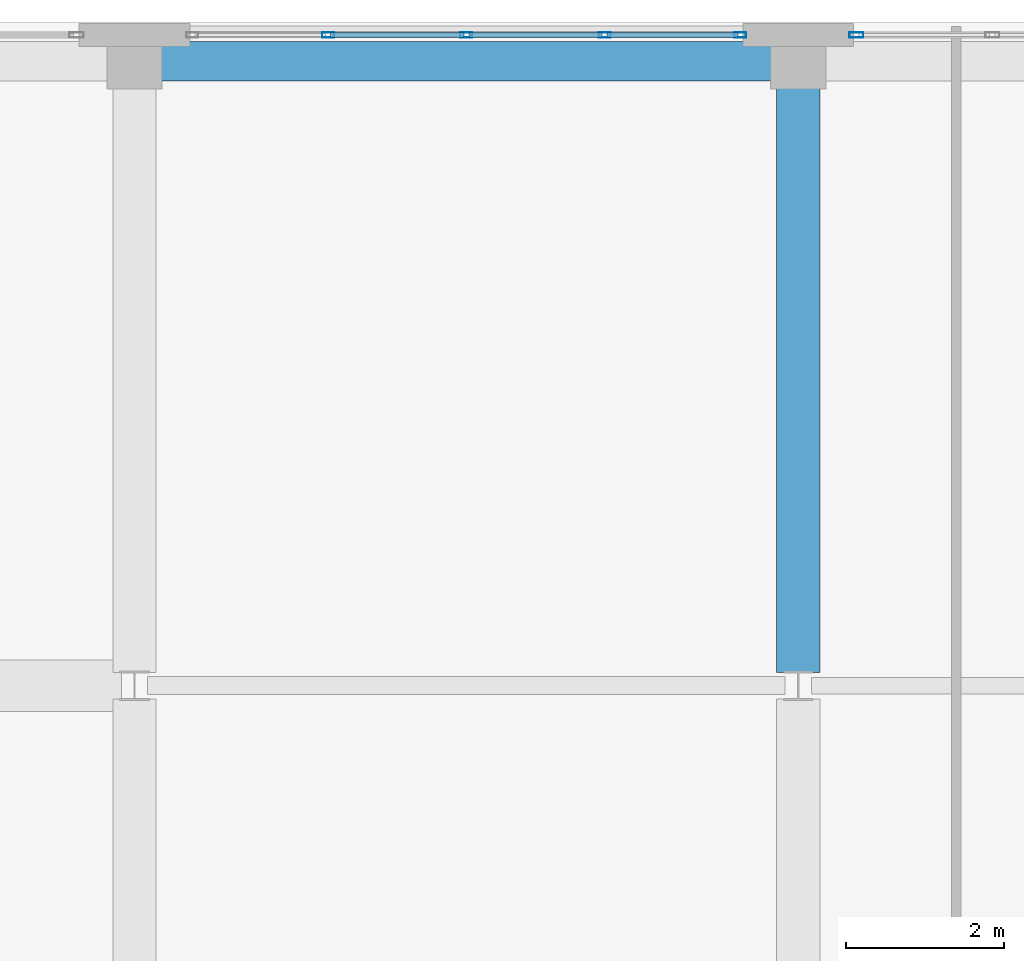
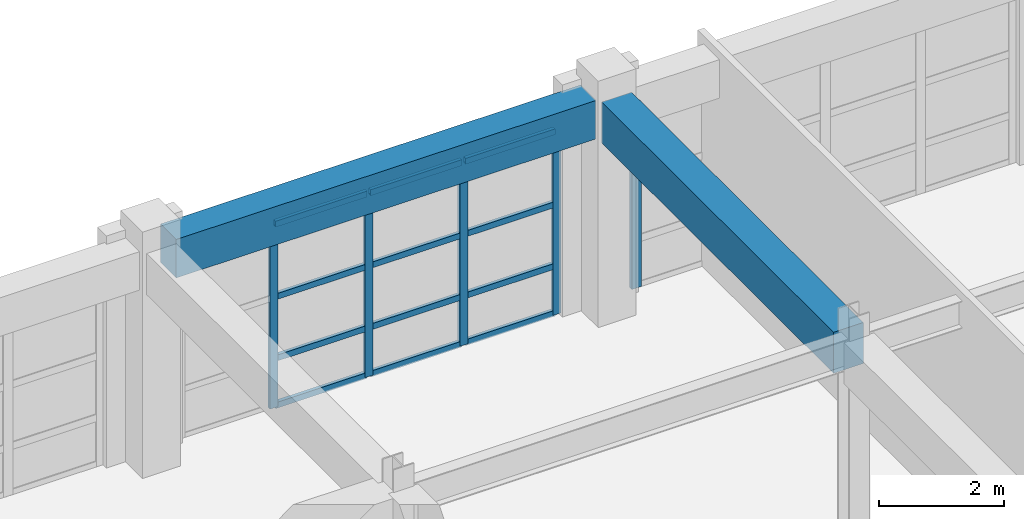
# One storey, part 83 of 123: 17 members, 2 beams, 2 elements without a shape of their own.
"""IFC4 building model written with IfcOpenShell, lengths in metres."""

from ifc_helpers import new_model, si_unit, direction, frame, origin, origin_2d, place, context, subcontext, project, spatial, rectangle, hollow_rectangle, extrude, material, layer, layer_set, material_profile, profile_set, type_object, element, aggregate, save


model = new_model("IFC4")

# Units and contexts
model_context = context("Model", 3, precision=1e-05, world=origin(), true_north=direction((0.0, 1.0)))
body_context = subcontext(model_context, "Body", "Model", "MODEL_VIEW")
ifc_project = project(units=[si_unit("LENGTHUNIT", "METRE"), si_unit("AREAUNIT", "SQUARE_METRE"), si_unit("VOLUMEUNIT", "CUBIC_METRE"), si_unit("PLANEANGLEUNIT", "RADIAN"), si_unit("MASSUNIT", "GRAM", prefix="KILO")], contexts=[model_context])

# Site, building, storey
site_placement = place(None, origin())
site = spatial("IfcSite", under=ifc_project, at=site_placement, CompositionType="ELEMENT")
building_placement = place(site_placement, origin())
building = spatial("IfcBuilding", under=site, at=building_placement, Name="Quendrovan Civic Courthouse", CompositionType="ELEMENT")
storey_placement = place(building_placement, frame((0.0, 0.0, 5.39990234375)))
storey = spatial("IfcBuildingStorey", under=building, at=storey_placement, Name="L02", CompositionType="ELEMENT", Elevation=5.39990234375)

# Beams
ifc_material_1 = material(Name="Concrete C40/50", Category="concrete")
ifc_material_profile_1 = material_profile(ifc_material_1, rectangle(XDim=0.5, YDim=0.75, at=origin_2d()), Name="RC-BM-500x750")
ifc_profile_set_1 = profile_set([ifc_material_profile_1], Name="Concrete C40/50")
beam_type_1 = type_object("IfcBeamType", Name="BM-RC750", PredefinedType="SPANDREL", material=ifc_profile_set_1)
beam_1_placement = place(storey_placement, frame((134.72998046875, 109.89990234375, 3.985107421875), z_axis=(1.0, 0.0, 0.0), x_axis=(0.0, 1.0, 0.0)))
element("IfcBeam", 1, at=beam_1_placement, inside=storey, type_object=beam_type_1, Name="L02 Girder X0602", PredefinedType="SPANDREL", context=body_context, shape_type="SweptSolid", body=[
    extrude(rectangle(XDim=0.5, YDim=0.75, at=origin_2d()), origin(), (0.0, 0.0, 1.0), 7.739990234375),
])
ifc_material_profile_2 = material_profile(ifc_material_1, rectangle(XDim=0.550048828125, YDim=0.800048828125, at=origin_2d()), Name="RC-BM-550x800")
ifc_profile_set_2 = profile_set([ifc_material_profile_2], Name="Concrete C40/50")
beam_type_2 = type_object("IfcBeamType", Name="BM-RC800", PredefinedType="BEAM", material=ifc_profile_set_2)
beam_2_placement = place(storey_placement, frame((142.800048828125, 102.166015625, 3.960205078125), z_axis=(0.0, 1.0, 0.0), x_axis=(-1.0, 0.0, 0.0)))
element("IfcBeam", 2, at=beam_2_placement, inside=storey, type_object=beam_type_2, Name="L02 Girder Y0704", PredefinedType="BEAM", context=body_context, shape_type="SweptSolid", body=[
    extrude(rectangle(XDim=0.550048828125, YDim=0.800048828125, at=origin_2d()), origin(), (0.0, 0.0, 1.0), 7.404052734375),
])

# Curtain wall, member
ifc_material_2 = material(Name="Bronze anodised aluminium and low-E glass", Category="aluminium")
ifc_layer = layer(ifc_material_2, 0.179931640625, Name="Bronze anodised aluminium and low-E glass")
ifc_layer_set = layer_set([ifc_layer], Name="Bronze anodised aluminium and low-E glass")
curtain_wall_type = type_object("IfcCurtainWallType", Name="CW-U70x36", PredefinedType="USERDEFINED", material=ifc_layer_set)
curtain_wall_1_placement = place(storey_placement, origin())
curtain_wall_1 = element("IfcCurtainWall", 3, at=curtain_wall_1_placement, inside=storey, type_object=curtain_wall_type, Name="L02 Unitised Hurricane Curtain Wall CW-094", ObjectType="UNITISED CURTAIN WALL", PredefinedType="USERDEFINED")
ifc_material_3 = material(Name="Bronze anodised aluminium", Category="aluminium")
ifc_material_profile_3 = material_profile(ifc_material_3, hollow_rectangle(XDim=0.070068359375, YDim=0.179931640625, WallThickness=0.00390625, at=origin_2d()), Name="CW-MULL-70x180")
ifc_profile_set_3 = profile_set([ifc_material_profile_3], Name="Bronze anodised aluminium")
member_type_1 = type_object("IfcMemberType", Name="CW-MULL-A", PredefinedType="MULLION", material=ifc_profile_set_3)
member_1_placement = place(storey_placement, frame((143.534912109375, 110.235107421875, 0.0), z_axis=(0.0, 0.0, 1.0), x_axis=(0.0, 1.0, 0.0)))
member_1 = element("IfcMember", 4, at=member_1_placement, type_object=member_type_1, Name="CW-094 mullion 1", PredefinedType="MULLION", context=body_context, shape_type="SweptSolid", body=[
    extrude(hollow_rectangle(XDim=0.070068359375, YDim=0.179931640625, WallThickness=0.00390625, at=origin_2d()), origin(), (0.0, 0.0, 1.0), 3.60009765625),
])
aggregate(curtain_wall_1, [member_1])

# Curtain wall, members
curtain_wall_2_placement = place(storey_placement, origin())
curtain_wall_2 = element("IfcCurtainWall", 5, at=curtain_wall_2_placement, inside=storey, type_object=curtain_wall_type, Name="L02 Unitised Hurricane Curtain Wall CW-093", ObjectType="UNITISED CURTAIN WALL", PredefinedType="USERDEFINED")
ifc_material_profile_4 = material_profile(ifc_material_3, hollow_rectangle(XDim=0.06494140625, YDim=0.14990234375, WallThickness=0.00390625, at=origin_2d()), Name="CW-MULL-65x150")
ifc_profile_set_4 = profile_set([ifc_material_profile_4], Name="Bronze anodised aluminium")
member_type_2 = type_object("IfcMemberType", Name="CW-MULL-B", PredefinedType="MULLION", material=ifc_profile_set_4)
member_2_placement = place(storey_placement, frame((136.85009765625, 110.235107421875, 0.0), z_axis=(0.0, 0.0, 1.0), x_axis=(0.0, 1.0, 0.0)))
member_2 = element("IfcMember", 6, at=member_2_placement, type_object=member_type_2, Name="CW-093 mullion 2", PredefinedType="MULLION", context=body_context, shape_type="SweptSolid", body=[
    extrude(hollow_rectangle(XDim=0.06494140625, YDim=0.14990234375, WallThickness=0.00390625, at=origin_2d()), origin(), (0.0, 0.0, 1.0), 3.60009765625),
])
member_3_placement = place(storey_placement, frame((138.60009765625, 110.235107421875, 0.0), z_axis=(0.0, 0.0, 1.0), x_axis=(0.0, 1.0, 0.0)))
member_3 = element("IfcMember", 7, at=member_3_placement, type_object=member_type_2, Name="CW-093 mullion 3", PredefinedType="MULLION", context=body_context, shape_type="SweptSolid", body=[
    extrude(hollow_rectangle(XDim=0.06494140625, YDim=0.14990234375, WallThickness=0.00390625, at=origin_2d()), origin(), (0.0, 0.0, 1.0), 3.60009765625),
])
member_4_placement = place(storey_placement, frame((140.35009765625, 110.235107421875, 0.0), z_axis=(0.0, 0.0, 1.0), x_axis=(0.0, 1.0, 0.0)))
member_4 = element("IfcMember", 8, at=member_4_placement, type_object=member_type_2, Name="CW-093 mullion 4", PredefinedType="MULLION", context=body_context, shape_type="SweptSolid", body=[
    extrude(hollow_rectangle(XDim=0.06494140625, YDim=0.14990234375, WallThickness=0.00390625, at=origin_2d()), origin(), (0.0, 0.0, 1.0), 3.60009765625),
])
member_5_placement = place(storey_placement, frame((142.0673828125, 110.235107421875, 0.0), z_axis=(0.0, 0.0, 1.0), x_axis=(0.0, 1.0, 0.0)))
member_5 = element("IfcMember", 9, at=member_5_placement, type_object=member_type_2, Name="CW-093 mullion 5", PredefinedType="MULLION", context=body_context, shape_type="SweptSolid", body=[
    extrude(hollow_rectangle(XDim=0.06494140625, YDim=0.14990234375, WallThickness=0.00390625, at=origin_2d()), origin(), (0.0, 0.0, 1.0), 3.60009765625),
])
ifc_material_profile_5 = material_profile(ifc_material_3, hollow_rectangle(XDim=0.06494140625, YDim=0.114990234375, WallThickness=0.00390625, at=origin_2d()), Name="CW-TRAN-65x115")
ifc_profile_set_5 = profile_set([ifc_material_profile_5], Name="Bronze anodised aluminium")
member_type_3 = type_object("IfcMemberType", Name="CW-TRAN-B", PredefinedType="USERDEFINED", material=ifc_profile_set_5)
member_6_placement = place(storey_placement, frame((136.882568359375, 110.235107421875, 0.03271484375), z_axis=(1.0, 0.0, 0.0), x_axis=(0.0, 1.0, 0.0)))
member_6 = element("IfcMember", 10, at=member_6_placement, type_object=member_type_3, Name="CW-093 transom 2.1", ObjectType="TRANSOM", PredefinedType="USERDEFINED", context=body_context, shape_type="SweptSolid", body=[
    extrude(hollow_rectangle(XDim=0.06494140625, YDim=0.114990234375, WallThickness=0.00390625, at=origin_2d()), origin(), (0.0, 0.0, 1.0), 1.684814453125),
])
member_7_placement = place(storey_placement, frame((136.882568359375, 110.235107421875, 0.9501953125), z_axis=(1.0, 0.0, 0.0), x_axis=(0.0, 1.0, 0.0)))
member_7 = element("IfcMember", 11, at=member_7_placement, type_object=member_type_3, Name="CW-093 transom 2.2", ObjectType="TRANSOM", PredefinedType="USERDEFINED", context=body_context, shape_type="SweptSolid", body=[
    extrude(hollow_rectangle(XDim=0.06494140625, YDim=0.114990234375, WallThickness=0.00390625, at=origin_2d()), origin(), (0.0, 0.0, 1.0), 1.684814453125),
])
member_8_placement = place(storey_placement, frame((136.882568359375, 110.235107421875, 2.150146484375), z_axis=(1.0, 0.0, 0.0), x_axis=(0.0, 1.0, 0.0)))
member_8 = element("IfcMember", 12, at=member_8_placement, type_object=member_type_3, Name="CW-093 transom 2.3", ObjectType="TRANSOM", PredefinedType="USERDEFINED", context=body_context, shape_type="SweptSolid", body=[
    extrude(hollow_rectangle(XDim=0.06494140625, YDim=0.114990234375, WallThickness=0.00390625, at=origin_2d()), origin(), (0.0, 0.0, 1.0), 1.684814453125),
])
member_9_placement = place(storey_placement, frame((136.882568359375, 110.235107421875, 3.567626953125), z_axis=(1.0, 0.0, 0.0), x_axis=(0.0, 1.0, 0.0)))
member_9 = element("IfcMember", 13, at=member_9_placement, type_object=member_type_3, Name="CW-093 transom 2.4", ObjectType="TRANSOM", PredefinedType="USERDEFINED", context=body_context, shape_type="SweptSolid", body=[
    extrude(hollow_rectangle(XDim=0.06494140625, YDim=0.114990234375, WallThickness=0.00390625, at=origin_2d()), origin(), (0.0, 0.0, 1.0), 1.684814453125),
])
member_10_placement = place(storey_placement, frame((138.632568359375, 110.235107421875, 0.03271484375), z_axis=(1.0, 0.0, 0.0), x_axis=(0.0, 1.0, 0.0)))
member_10 = element("IfcMember", 14, at=member_10_placement, type_object=member_type_3, Name="CW-093 transom 3.1", ObjectType="TRANSOM", PredefinedType="USERDEFINED", context=body_context, shape_type="SweptSolid", body=[
    extrude(hollow_rectangle(XDim=0.06494140625, YDim=0.114990234375, WallThickness=0.00390625, at=origin_2d()), origin(), (0.0, 0.0, 1.0), 1.684814453125),
])
member_11_placement = place(storey_placement, frame((138.632568359375, 110.235107421875, 0.9501953125), z_axis=(1.0, 0.0, 0.0), x_axis=(0.0, 1.0, 0.0)))
member_11 = element("IfcMember", 15, at=member_11_placement, type_object=member_type_3, Name="CW-093 transom 3.2", ObjectType="TRANSOM", PredefinedType="USERDEFINED", context=body_context, shape_type="SweptSolid", body=[
    extrude(hollow_rectangle(XDim=0.06494140625, YDim=0.114990234375, WallThickness=0.00390625, at=origin_2d()), origin(), (0.0, 0.0, 1.0), 1.684814453125),
])
member_12_placement = place(storey_placement, frame((138.632568359375, 110.235107421875, 2.150146484375), z_axis=(1.0, 0.0, 0.0), x_axis=(0.0, 1.0, 0.0)))
member_12 = element("IfcMember", 16, at=member_12_placement, type_object=member_type_3, Name="CW-093 transom 3.3", ObjectType="TRANSOM", PredefinedType="USERDEFINED", context=body_context, shape_type="SweptSolid", body=[
    extrude(hollow_rectangle(XDim=0.06494140625, YDim=0.114990234375, WallThickness=0.00390625, at=origin_2d()), origin(), (0.0, 0.0, 1.0), 1.684814453125),
])
member_13_placement = place(storey_placement, frame((138.632568359375, 110.235107421875, 3.567626953125), z_axis=(1.0, 0.0, 0.0), x_axis=(0.0, 1.0, 0.0)))
member_13 = element("IfcMember", 17, at=member_13_placement, type_object=member_type_3, Name="CW-093 transom 3.4", ObjectType="TRANSOM", PredefinedType="USERDEFINED", context=body_context, shape_type="SweptSolid", body=[
    extrude(hollow_rectangle(XDim=0.06494140625, YDim=0.114990234375, WallThickness=0.00390625, at=origin_2d()), origin(), (0.0, 0.0, 1.0), 1.684814453125),
])
member_14_placement = place(storey_placement, frame((140.382568359375, 110.235107421875, 0.03271484375), z_axis=(1.0, 0.0, 0.0), x_axis=(0.0, 1.0, 0.0)))
member_14 = element("IfcMember", 18, at=member_14_placement, type_object=member_type_3, Name="CW-093 transom 4.1", ObjectType="TRANSOM", PredefinedType="USERDEFINED", context=body_context, shape_type="SweptSolid", body=[
    extrude(hollow_rectangle(XDim=0.06494140625, YDim=0.114990234375, WallThickness=0.00390625, at=origin_2d()), origin(), (0.0, 0.0, 1.0), 1.65234375),
])
member_15_placement = place(storey_placement, frame((140.382568359375, 110.235107421875, 0.9501953125), z_axis=(1.0, 0.0, 0.0), x_axis=(0.0, 1.0, 0.0)))
member_15 = element("IfcMember", 19, at=member_15_placement, type_object=member_type_3, Name="CW-093 transom 4.2", ObjectType="TRANSOM", PredefinedType="USERDEFINED", context=body_context, shape_type="SweptSolid", body=[
    extrude(hollow_rectangle(XDim=0.06494140625, YDim=0.114990234375, WallThickness=0.00390625, at=origin_2d()), origin(), (0.0, 0.0, 1.0), 1.65234375),
])
member_16_placement = place(storey_placement, frame((140.382568359375, 110.235107421875, 2.150146484375), z_axis=(1.0, 0.0, 0.0), x_axis=(0.0, 1.0, 0.0)))
member_16 = element("IfcMember", 20, at=member_16_placement, type_object=member_type_3, Name="CW-093 transom 4.3", ObjectType="TRANSOM", PredefinedType="USERDEFINED", context=body_context, shape_type="SweptSolid", body=[
    extrude(hollow_rectangle(XDim=0.06494140625, YDim=0.114990234375, WallThickness=0.00390625, at=origin_2d()), origin(), (0.0, 0.0, 1.0), 1.65234375),
])
member_17_placement = place(storey_placement, frame((140.382568359375, 110.235107421875, 3.567626953125), z_axis=(1.0, 0.0, 0.0), x_axis=(0.0, 1.0, 0.0)))
member_17 = element("IfcMember", 21, at=member_17_placement, type_object=member_type_3, Name="CW-093 transom 4.4", ObjectType="TRANSOM", PredefinedType="USERDEFINED", context=body_context, shape_type="SweptSolid", body=[
    extrude(hollow_rectangle(XDim=0.06494140625, YDim=0.114990234375, WallThickness=0.00390625, at=origin_2d()), origin(), (0.0, 0.0, 1.0), 1.65234375),
])
aggregate(curtain_wall_2, [member_2, member_3, member_4, member_5, member_6, member_7, member_8, member_9, member_10, member_11, member_12, member_13, member_14, member_15, member_16, member_17])

save(model, "model.ifc")
